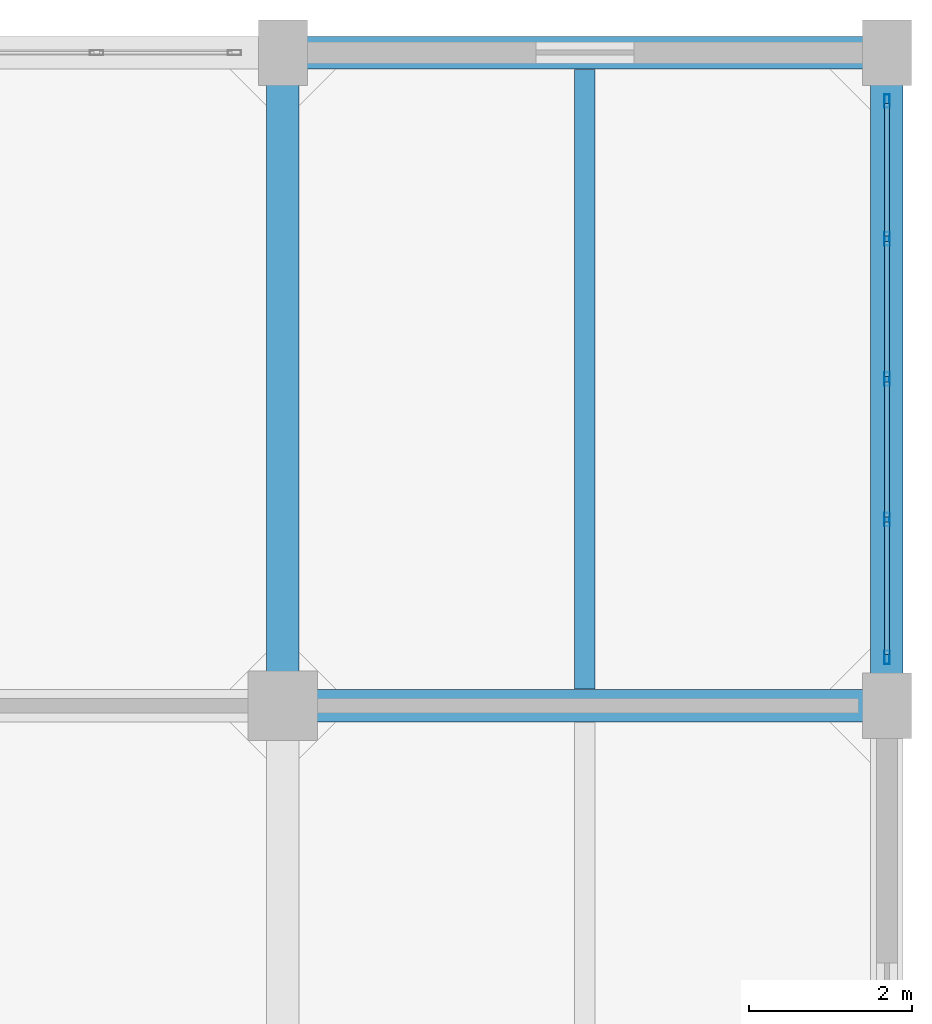
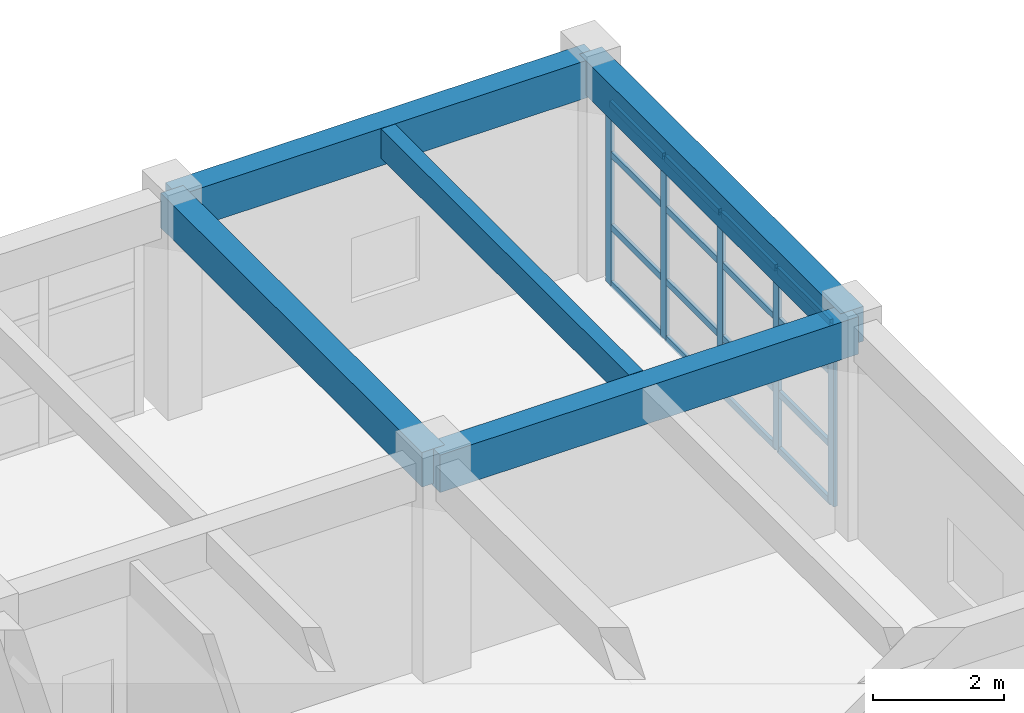
# One storey, part 18 of 27: 21 members, 5 beams, 1 element without a shape of its own.
"""IFC4 building model written with IfcOpenShell, lengths in metres."""

from ifc_helpers import new_model, si_unit, direction, frame, origin, origin_2d, place, context, subcontext, project, spatial, rectangle, hollow_rectangle, extrude, material, layer, layer_set, material_profile, profile_set, type_object, element, aggregate, save


model = new_model("IFC4")

# Units and contexts
model_context = context("Model", 3, precision=1e-05, world=origin(), true_north=direction((0.0, 1.0)))
body_context = subcontext(model_context, "Body", "Model", "MODEL_VIEW")
ifc_project = project(units=[si_unit("LENGTHUNIT", "METRE"), si_unit("AREAUNIT", "SQUARE_METRE"), si_unit("VOLUMEUNIT", "CUBIC_METRE"), si_unit("PLANEANGLEUNIT", "RADIAN"), si_unit("MASSUNIT", "GRAM", prefix="KILO")], contexts=[model_context])

# Site, building, storey
site_placement = place(None, origin())
site = spatial("IfcSite", under=ifc_project, at=site_placement, CompositionType="ELEMENT")
building_placement = place(site_placement, origin())
building = spatial("IfcBuilding", under=site, at=building_placement, Name="Canggui Botanical Conservatory", CompositionType="ELEMENT")
storey_placement = place(building_placement, frame((0.0, 0.0, 31.800048828125)))
storey = spatial("IfcBuildingStorey", under=building, at=storey_placement, Name="L08", CompositionType="ELEMENT", Elevation=31.800048828125)

# Beams
ifc_material_1 = material(Name="Concrete C35", Category="concrete")
ifc_material_profile_1 = material_profile(ifc_material_1, rectangle(XDim=0.25, YDim=0.550048828125, at=origin_2d()), Name="RB 250x550")
ifc_profile_set_1 = profile_set([ifc_material_profile_1], Name="Concrete C35")
beam_type_1 = type_object("IfcBeamType", Name="BM-JST03", PredefinedType="JOIST", material=ifc_profile_set_1)
beam_placement = place(storey_placement, frame((173.699951171875, 66.205078125, 3.704833984375), z_axis=(0.0, 1.0, 0.0), x_axis=(-1.0, 0.0, 0.0)))
element("IfcBeam", 1, at=beam_placement, inside=storey, type_object=beam_type_1, Name="Secondary Floor Joist L08-5-5", PredefinedType="JOIST", context=body_context, shape_type="SweptSolid", body=[
    extrude(rectangle(XDim=0.25, YDim=0.550048828125, at=origin_2d()), origin(), (0.0, 0.0, 1.0), 7.58984375),
])
ifc_material_profile_2 = material_profile(ifc_material_1, rectangle(XDim=0.39990234375, YDim=0.699951171875, at=origin_2d()), Name="RB 400x700")
ifc_profile_set_2 = profile_set([ifc_material_profile_2], Name="Concrete C35")
beam_type_2 = type_object("IfcBeamType", Name="BM-KL11", PredefinedType="BEAM", material=ifc_profile_set_2)
for number, where, z_axis, x_axis, name in (
    (2, (170.0, 66.0, 3.6298828125), (1.0, 0.0, 0.0), (0.0, 1.0, 0.0), "Frame Girder L08 Y66-5"),
    (3, (170.0, 74.0, 3.6298828125), (1.0, 0.0, 0.0), (0.0, 1.0, 0.0), "Frame Girder L08 Y74-5"),
):
    element("IfcBeam", number, at=place(storey_placement, frame(where, z_axis=z_axis, x_axis=x_axis)), inside=storey, type_object=beam_type_2, Name=name, PredefinedType="BEAM", context=body_context, shape_type="SweptSolid", body=[
        extrude(rectangle(XDim=0.39990234375, YDim=0.699951171875, at=origin_2d()), origin(), (0.0, 0.0, 1.0), 7.39990234375),
    ])
ifc_material_profile_3 = material_profile(ifc_material_1, rectangle(XDim=0.39990234375, YDim=0.64990234375, at=origin_2d()), Name="RB 400x650")
ifc_profile_set_3 = profile_set([ifc_material_profile_3], Name="Concrete C35")
beam_type_3 = type_object("IfcBeamType", Name="BM-KL12", PredefinedType="BEAM", material=ifc_profile_set_3)
for number, where, z_axis, x_axis, name in (
    (4, (170.0, 66.0, 3.655029296875), (0.0, 1.0, 0.0), (-1.0, 0.0, 0.0), "Frame Girder L08 X170-5"),
    (5, (177.39990234375, 66.0, 3.655029296875), (0.0, 1.0, 0.0), (-1.0, 0.0, 0.0), "Frame Girder L08 X178-5"),
):
    element("IfcBeam", number, at=place(storey_placement, frame(where, z_axis=z_axis, x_axis=x_axis)), inside=storey, type_object=beam_type_3, Name=name, PredefinedType="BEAM", context=body_context, shape_type="SweptSolid", body=[
        extrude(rectangle(XDim=0.39990234375, YDim=0.64990234375, at=origin_2d()), origin(), (0.0, 0.0, 1.0), 8.0),
    ])

# Curtain wall, members
ifc_material_2 = material(Name="Thermally Broken Aluminium", Category="aluminium")
ifc_layer = layer(ifc_material_2, 0.1650390625, Name="Thermally Broken Aluminium", Category="aluminium")
ifc_layer_set = layer_set([ifc_layer], Name="Thermally Broken Aluminium")
curtain_wall_type = type_object("IfcCurtainWallType", Name="CW-UNIT-B", PredefinedType="USERDEFINED", material=ifc_layer_set)
curtain_wall_placement = place(storey_placement, origin())
curtain_wall = element("IfcCurtainWall", 6, at=curtain_wall_placement, inside=storey, type_object=curtain_wall_type, Name="Facade Curtain Wall CW-TWR-L08-16", ObjectType="UNITISED CURTAIN WALL", PredefinedType="USERDEFINED")
ifc_material_profile_4 = material_profile(ifc_material_2, hollow_rectangle(XDim=0.06494140625, YDim=0.1650390625, WallThickness=0.00390625, at=origin_2d()), Name="CWM 65x165x4")
ifc_profile_set_4 = profile_set([ifc_material_profile_4], Name="Thermally Broken Aluminium")
member_type_1 = type_object("IfcMemberType", Name="CWM-02", PredefinedType="MULLION", material=ifc_profile_set_4)
member_1_placement = place(storey_placement, frame((177.39990234375, 73.407470703125, 0.0), z_axis=(0.0, 0.0, 1.0), x_axis=(1.0, 0.0, 0.0)))
member_1 = element("IfcMember", 7, at=member_1_placement, type_object=member_type_1, Name="CW-02 mullion 1", PredefinedType="MULLION", context=body_context, shape_type="SweptSolid", body=[
    extrude(hollow_rectangle(XDim=0.06494140625, YDim=0.1650390625, WallThickness=0.00390625, at=origin_2d()), origin(), (0.0, 0.0, 1.0), 3.39990234375),
])
member_2_placement = place(storey_placement, frame((177.39990234375, 71.719970703125, 0.0), z_axis=(0.0, 0.0, 1.0), x_axis=(1.0, 0.0, 0.0)))
member_2 = element("IfcMember", 8, at=member_2_placement, type_object=member_type_1, Name="CW-02 mullion 2", PredefinedType="MULLION", context=body_context, shape_type="SweptSolid", body=[
    extrude(hollow_rectangle(XDim=0.06494140625, YDim=0.1650390625, WallThickness=0.00390625, at=origin_2d()), origin(), (0.0, 0.0, 1.0), 3.39990234375),
])
member_3_placement = place(storey_placement, frame((177.39990234375, 70.0, 0.0), z_axis=(0.0, 0.0, 1.0), x_axis=(1.0, 0.0, 0.0)))
member_3 = element("IfcMember", 9, at=member_3_placement, type_object=member_type_1, Name="CW-02 mullion 3", PredefinedType="MULLION", context=body_context, shape_type="SweptSolid", body=[
    extrude(hollow_rectangle(XDim=0.06494140625, YDim=0.1650390625, WallThickness=0.00390625, at=origin_2d()), origin(), (0.0, 0.0, 1.0), 3.39990234375),
])
member_4_placement = place(storey_placement, frame((177.39990234375, 68.280029296875, 0.0), z_axis=(0.0, 0.0, 1.0), x_axis=(1.0, 0.0, 0.0)))
member_4 = element("IfcMember", 10, at=member_4_placement, type_object=member_type_1, Name="CW-02 mullion 4", PredefinedType="MULLION", context=body_context, shape_type="SweptSolid", body=[
    extrude(hollow_rectangle(XDim=0.06494140625, YDim=0.1650390625, WallThickness=0.00390625, at=origin_2d()), origin(), (0.0, 0.0, 1.0), 3.39990234375),
])
member_5_placement = place(storey_placement, frame((177.39990234375, 66.592529296875, 0.0), z_axis=(0.0, 0.0, 1.0), x_axis=(1.0, 0.0, 0.0)))
member_5 = element("IfcMember", 11, at=member_5_placement, type_object=member_type_1, Name="CW-02 mullion 5", PredefinedType="MULLION", context=body_context, shape_type="SweptSolid", body=[
    extrude(hollow_rectangle(XDim=0.06494140625, YDim=0.1650390625, WallThickness=0.00390625, at=origin_2d()), origin(), (0.0, 0.0, 1.0), 3.39990234375),
])
ifc_material_profile_5 = material_profile(ifc_material_2, hollow_rectangle(XDim=0.06005859375, YDim=0.1201171875, WallThickness=0.00341796875, at=origin_2d()), Name="CWT 60x120x3.5")
ifc_profile_set_5 = profile_set([ifc_material_profile_5], Name="Thermally Broken Aluminium")
member_type_2 = type_object("IfcMemberType", Name="CWT-02", PredefinedType="USERDEFINED", material=ifc_profile_set_5)
member_6_placement = place(storey_placement, frame((177.39990234375, 73.375, 0.030029296875), z_axis=(0.0, -1.0, 0.0), x_axis=(1.0, 0.0, 0.0)))
member_6 = element("IfcMember", 12, at=member_6_placement, type_object=member_type_2, Name="CW-02 transom 1.1", ObjectType="TRANSOM", PredefinedType="USERDEFINED", context=body_context, shape_type="SweptSolid", body=[
    extrude(hollow_rectangle(XDim=0.06005859375, YDim=0.1201171875, WallThickness=0.00341796875, at=origin_2d()), origin(), (0.0, 0.0, 1.0), 1.62255859375),
])
member_7_placement = place(storey_placement, frame((177.39990234375, 73.375, 1.087890625), z_axis=(0.0, -1.0, 0.0), x_axis=(1.0, 0.0, 0.0)))
member_7 = element("IfcMember", 13, at=member_7_placement, type_object=member_type_2, Name="CW-02 transom 1.2", ObjectType="TRANSOM", PredefinedType="USERDEFINED", context=body_context, shape_type="SweptSolid", body=[
    extrude(hollow_rectangle(XDim=0.06005859375, YDim=0.1201171875, WallThickness=0.00341796875, at=origin_2d()), origin(), (0.0, 0.0, 1.0), 1.62255859375),
])
member_8_placement = place(storey_placement, frame((177.39990234375, 73.375, 2.447998046875), z_axis=(0.0, -1.0, 0.0), x_axis=(1.0, 0.0, 0.0)))
member_8 = element("IfcMember", 14, at=member_8_placement, type_object=member_type_2, Name="CW-02 transom 1.3", ObjectType="TRANSOM", PredefinedType="USERDEFINED", context=body_context, shape_type="SweptSolid", body=[
    extrude(hollow_rectangle(XDim=0.06005859375, YDim=0.1201171875, WallThickness=0.00341796875, at=origin_2d()), origin(), (0.0, 0.0, 1.0), 1.62255859375),
])
member_9_placement = place(storey_placement, frame((177.39990234375, 73.375, 3.369873046875), z_axis=(0.0, -1.0, 0.0), x_axis=(1.0, 0.0, 0.0)))
member_9 = element("IfcMember", 15, at=member_9_placement, type_object=member_type_2, Name="CW-02 transom 1.4", ObjectType="TRANSOM", PredefinedType="USERDEFINED", context=body_context, shape_type="SweptSolid", body=[
    extrude(hollow_rectangle(XDim=0.06005859375, YDim=0.1201171875, WallThickness=0.00341796875, at=origin_2d()), origin(), (0.0, 0.0, 1.0), 1.62255859375),
])
member_10_placement = place(storey_placement, frame((177.39990234375, 71.6875, 0.030029296875), z_axis=(0.0, -1.0, 0.0), x_axis=(1.0, 0.0, 0.0)))
member_10 = element("IfcMember", 16, at=member_10_placement, type_object=member_type_2, Name="CW-02 transom 2.1", ObjectType="TRANSOM", PredefinedType="USERDEFINED", context=body_context, shape_type="SweptSolid", body=[
    extrude(hollow_rectangle(XDim=0.06005859375, YDim=0.1201171875, WallThickness=0.00341796875, at=origin_2d()), origin(), (0.0, 0.0, 1.0), 1.655029296875),
])
member_11_placement = place(storey_placement, frame((177.39990234375, 71.6875, 1.087890625), z_axis=(0.0, -1.0, 0.0), x_axis=(1.0, 0.0, 0.0)))
member_11 = element("IfcMember", 17, at=member_11_placement, type_object=member_type_2, Name="CW-02 transom 2.2", ObjectType="TRANSOM", PredefinedType="USERDEFINED", context=body_context, shape_type="SweptSolid", body=[
    extrude(hollow_rectangle(XDim=0.06005859375, YDim=0.1201171875, WallThickness=0.00341796875, at=origin_2d()), origin(), (0.0, 0.0, 1.0), 1.655029296875),
])
member_12_placement = place(storey_placement, frame((177.39990234375, 71.6875, 2.447998046875), z_axis=(0.0, -1.0, 0.0), x_axis=(1.0, 0.0, 0.0)))
member_12 = element("IfcMember", 18, at=member_12_placement, type_object=member_type_2, Name="CW-02 transom 2.3", ObjectType="TRANSOM", PredefinedType="USERDEFINED", context=body_context, shape_type="SweptSolid", body=[
    extrude(hollow_rectangle(XDim=0.06005859375, YDim=0.1201171875, WallThickness=0.00341796875, at=origin_2d()), origin(), (0.0, 0.0, 1.0), 1.655029296875),
])
member_13_placement = place(storey_placement, frame((177.39990234375, 71.6875, 3.369873046875), z_axis=(0.0, -1.0, 0.0), x_axis=(1.0, 0.0, 0.0)))
member_13 = element("IfcMember", 19, at=member_13_placement, type_object=member_type_2, Name="CW-02 transom 2.4", ObjectType="TRANSOM", PredefinedType="USERDEFINED", context=body_context, shape_type="SweptSolid", body=[
    extrude(hollow_rectangle(XDim=0.06005859375, YDim=0.1201171875, WallThickness=0.00341796875, at=origin_2d()), origin(), (0.0, 0.0, 1.0), 1.655029296875),
])
member_14_placement = place(storey_placement, frame((177.39990234375, 69.967529296875, 0.030029296875), z_axis=(0.0, -1.0, 0.0), x_axis=(1.0, 0.0, 0.0)))
member_14 = element("IfcMember", 20, at=member_14_placement, type_object=member_type_2, Name="CW-02 transom 3.1", ObjectType="TRANSOM", PredefinedType="USERDEFINED", context=body_context, shape_type="SweptSolid", body=[
    extrude(hollow_rectangle(XDim=0.06005859375, YDim=0.1201171875, WallThickness=0.00341796875, at=origin_2d()), origin(), (0.0, 0.0, 1.0), 1.655029296875),
])
member_15_placement = place(storey_placement, frame((177.39990234375, 69.967529296875, 1.087890625), z_axis=(0.0, -1.0, 0.0), x_axis=(1.0, 0.0, 0.0)))
member_15 = element("IfcMember", 21, at=member_15_placement, type_object=member_type_2, Name="CW-02 transom 3.2", ObjectType="TRANSOM", PredefinedType="USERDEFINED", context=body_context, shape_type="SweptSolid", body=[
    extrude(hollow_rectangle(XDim=0.06005859375, YDim=0.1201171875, WallThickness=0.00341796875, at=origin_2d()), origin(), (0.0, 0.0, 1.0), 1.655029296875),
])
member_16_placement = place(storey_placement, frame((177.39990234375, 69.967529296875, 2.447998046875), z_axis=(0.0, -1.0, 0.0), x_axis=(1.0, 0.0, 0.0)))
member_16 = element("IfcMember", 22, at=member_16_placement, type_object=member_type_2, Name="CW-02 transom 3.3", ObjectType="TRANSOM", PredefinedType="USERDEFINED", context=body_context, shape_type="SweptSolid", body=[
    extrude(hollow_rectangle(XDim=0.06005859375, YDim=0.1201171875, WallThickness=0.00341796875, at=origin_2d()), origin(), (0.0, 0.0, 1.0), 1.655029296875),
])
member_17_placement = place(storey_placement, frame((177.39990234375, 69.967529296875, 3.369873046875), z_axis=(0.0, -1.0, 0.0), x_axis=(1.0, 0.0, 0.0)))
member_17 = element("IfcMember", 23, at=member_17_placement, type_object=member_type_2, Name="CW-02 transom 3.4", ObjectType="TRANSOM", PredefinedType="USERDEFINED", context=body_context, shape_type="SweptSolid", body=[
    extrude(hollow_rectangle(XDim=0.06005859375, YDim=0.1201171875, WallThickness=0.00341796875, at=origin_2d()), origin(), (0.0, 0.0, 1.0), 1.655029296875),
])
member_18_placement = place(storey_placement, frame((177.39990234375, 68.24755859375, 0.030029296875), z_axis=(0.0, -1.0, 0.0), x_axis=(1.0, 0.0, 0.0)))
member_18 = element("IfcMember", 24, at=member_18_placement, type_object=member_type_2, Name="CW-02 transom 4.1", ObjectType="TRANSOM", PredefinedType="USERDEFINED", context=body_context, shape_type="SweptSolid", body=[
    extrude(hollow_rectangle(XDim=0.06005859375, YDim=0.1201171875, WallThickness=0.00341796875, at=origin_2d()), origin(), (0.0, 0.0, 1.0), 1.62255859375),
])
member_19_placement = place(storey_placement, frame((177.39990234375, 68.24755859375, 1.087890625), z_axis=(0.0, -1.0, 0.0), x_axis=(1.0, 0.0, 0.0)))
member_19 = element("IfcMember", 25, at=member_19_placement, type_object=member_type_2, Name="CW-02 transom 4.2", ObjectType="TRANSOM", PredefinedType="USERDEFINED", context=body_context, shape_type="SweptSolid", body=[
    extrude(hollow_rectangle(XDim=0.06005859375, YDim=0.1201171875, WallThickness=0.00341796875, at=origin_2d()), origin(), (0.0, 0.0, 1.0), 1.62255859375),
])
member_20_placement = place(storey_placement, frame((177.39990234375, 68.24755859375, 2.447998046875), z_axis=(0.0, -1.0, 0.0), x_axis=(1.0, 0.0, 0.0)))
member_20 = element("IfcMember", 26, at=member_20_placement, type_object=member_type_2, Name="CW-02 transom 4.3", ObjectType="TRANSOM", PredefinedType="USERDEFINED", context=body_context, shape_type="SweptSolid", body=[
    extrude(hollow_rectangle(XDim=0.06005859375, YDim=0.1201171875, WallThickness=0.00341796875, at=origin_2d()), origin(), (0.0, 0.0, 1.0), 1.62255859375),
])
member_21_placement = place(storey_placement, frame((177.39990234375, 68.24755859375, 3.369873046875), z_axis=(0.0, -1.0, 0.0), x_axis=(1.0, 0.0, 0.0)))
member_21 = element("IfcMember", 27, at=member_21_placement, type_object=member_type_2, Name="CW-02 transom 4.4", ObjectType="TRANSOM", PredefinedType="USERDEFINED", context=body_context, shape_type="SweptSolid", body=[
    extrude(hollow_rectangle(XDim=0.06005859375, YDim=0.1201171875, WallThickness=0.00341796875, at=origin_2d()), origin(), (0.0, 0.0, 1.0), 1.62255859375),
])
aggregate(curtain_wall, [member_1, member_2, member_3, member_4, member_5, member_6, member_7, member_8, member_9, member_10, member_11, member_12, member_13, member_14, member_15, member_16, member_17, member_18, member_19, member_20, member_21])

save(model, "model.ifc")
